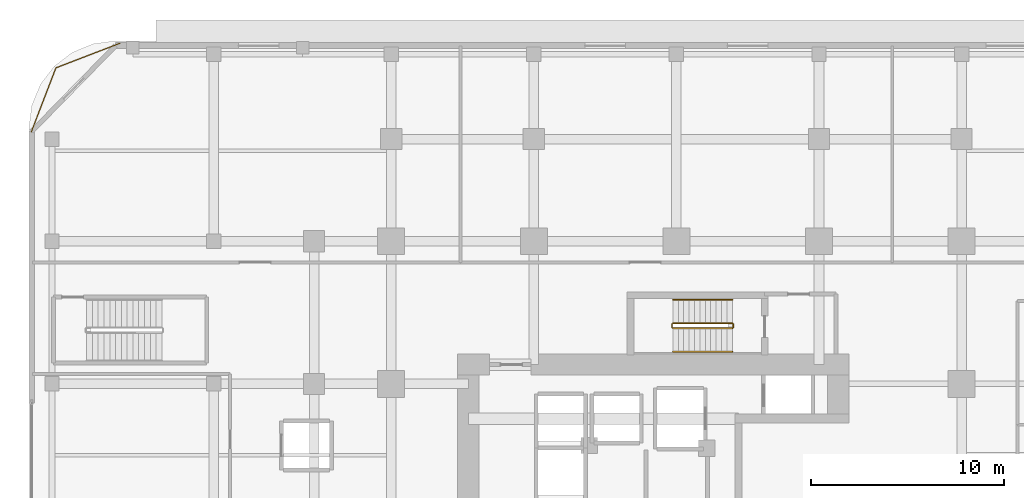
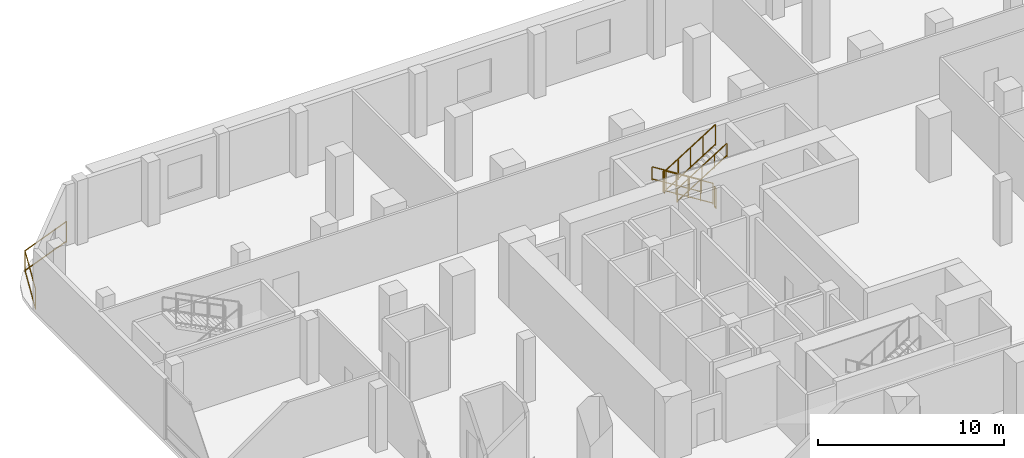
# One storey, part 16 of 19: 7 railings.
"""IFC4 building model written with IfcOpenShell, lengths in metres."""

from ifc_helpers import new_model, si_unit, direction, frame, origin, origin_2d, place, context, subcontext, project, spatial, rectangle, extrude, material, type_object, element, save


model = new_model("IFC4")

# Units and contexts
model_context = context("Model", 3, precision=1e-05, world=origin(), true_north=direction((0.0, 1.0)))
body_context = subcontext(model_context, "Body", "Model", "MODEL_VIEW")
ifc_project = project(units=[si_unit("LENGTHUNIT", "METRE"), si_unit("AREAUNIT", "SQUARE_METRE"), si_unit("VOLUMEUNIT", "CUBIC_METRE"), si_unit("PLANEANGLEUNIT", "RADIAN"), si_unit("MASSUNIT", "GRAM", prefix="KILO")], contexts=[model_context])

# Site, building, storey
site_placement = place(None, origin())
site = spatial("IfcSite", under=ifc_project, at=site_placement, CompositionType="ELEMENT")
building_placement = place(site_placement, origin())
building = spatial("IfcBuilding", under=site, at=building_placement, Name="Khorvyn Point Tower", CompositionType="ELEMENT")
storey_placement = place(building_placement, frame((0.0, 0.0, 13.199951171875)))
storey = spatial("IfcBuildingStorey", under=building, at=storey_placement, Name="L04", CompositionType="ELEMENT", Elevation=13.199951171875)

# Railings
ifc_material_1 = material(Name="Anodised aluminium 6063-T6 and laminated safety glass", Category="aluminium")
railing_type_1 = type_object("IfcRailingType", Name="Laminated Glass and Aluminium Balcony Guardrail 1400", PredefinedType="BALUSTRADE", material=ifc_material_1)
railing_1_placement = place(storey_placement, frame((-28.870849609375, 25.073974609375, 0.0)))
element("IfcRailing", 1, at=railing_1_placement, inside=storey, type_object=railing_type_1, Name="L04 Rounded Corner Edge Guardrail NW", PredefinedType="BALUSTRADE", context=body_context, shape_type="SweptSolid", body=[
    extrude(rectangle(XDim=0.048095703125, YDim=0.048095703125, at=origin_2d()), frame((0.0, 0.0, 1.3759765625), z_axis=(-0.933575007025, -0.358382067435, 0.0), x_axis=(0.358382067435, -0.933575007025, 0.0)), (0.0, 0.0, 1.0), 3.562744140625),
    extrude(rectangle(XDim=0.048095703125, YDim=0.048095703125, at=origin_2d()), frame((0.0, 0.0, 0.080078125), z_axis=(-0.933575007025, -0.358382067435, 0.0), x_axis=(0.358382067435, -0.933575007025, 0.0)), (0.0, 0.0, 1.0), 3.562744140625),
    extrude(rectangle(XDim=0.048095703125, YDim=0.048095703125, at=origin_2d()), frame((-3.326171875, -1.27685546875, 1.3759765625), z_axis=(-0.35841886047, -0.933560882031, 0.0), x_axis=(0.933560882031, -0.35841886047, 0.0)), (0.0, 0.0, 1.0), 3.563232421875),
    extrude(rectangle(XDim=0.048095703125, YDim=0.048095703125, at=origin_2d()), frame((-3.326171875, -1.27685546875, 0.080078125), z_axis=(-0.35841886047, -0.933560882031, 0.0), x_axis=(0.933560882031, -0.35841886047, 0.0)), (0.0, 0.0, 1.0), 3.563232421875),
    extrude(rectangle(XDim=0.0419921875, YDim=0.0419921875, at=origin_2d()), origin(), (0.0, 0.0, 1.0), 1.351806640625),
    extrude(rectangle(XDim=0.0419921875, YDim=0.0419921875, at=origin_2d()), frame((-3.326171875, -1.27685546875, 0.0)), (0.0, 0.0, 1.0), 1.351806640625),
    extrude(rectangle(XDim=0.0419921875, YDim=0.0419921875, at=origin_2d()), frame((-4.603271484375, -4.603271484375, 0.0)), (0.0, 0.0, 1.0), 1.351806640625),
])
ifc_material_2 = material(Name="Stainless steel 1.4301", Category="steel")
railing_type_2 = type_object("IfcRailingType", Name="Stainless Steel 304 Stair Pitch Handrail 900", PredefinedType="HANDRAIL", material=ifc_material_2)
railing_2_placement = place(storey_placement, frame((2.89990234375, 11.77001953125, 0.175048828125)))
element("IfcRailing", 2, at=railing_2_placement, inside=storey, type_object=railing_type_2, Name="L04 ST-02 stair handrail 1", PredefinedType="HANDRAIL", context=body_context, shape_type="SweptSolid", body=[
    extrude(rectangle(XDim=0.048095703125, YDim=0.048095703125, at=origin_2d()), frame((0.0, 0.0, 0.8759765625), z_axis=(-0.847979421464, 0.0, 0.530029150871), x_axis=(0.0, -1.0, 0.0)), (0.0, 0.0, 1.0), 3.632080078125),
    extrude(rectangle(XDim=0.048095703125, YDim=0.048095703125, at=origin_2d()), frame((0.0, 0.0, 0.080078125), z_axis=(-0.847979421464, 0.0, 0.530029150871), x_axis=(0.0, -1.0, 0.0)), (0.0, 0.0, 1.0), 3.632080078125),
    extrude(rectangle(XDim=0.0419921875, YDim=0.0419921875, at=origin_2d()), origin(), (0.0, 0.0, 1.0), 0.851806640625),
    extrude(rectangle(XDim=0.0419921875, YDim=0.0419921875, at=origin_2d()), frame((-0.77001953125, 0.0, 0.481201171875)), (0.0, 0.0, 1.0), 0.851806640625),
    extrude(rectangle(XDim=0.0419921875, YDim=0.0419921875, at=origin_2d()), frame((-1.5400390625, 0.0, 0.96240234375)), (0.0, 0.0, 1.0), 0.851806640625),
    extrude(rectangle(XDim=0.0419921875, YDim=0.0419921875, at=origin_2d()), frame((-2.309814453125, 0.0, 1.44384765625)), (0.0, 0.0, 1.0), 0.851806640625),
    extrude(rectangle(XDim=0.0419921875, YDim=0.0419921875, at=origin_2d()), frame((-3.079833984375, 0.0, 1.925048828125)), (0.0, 0.0, 1.0), 0.851806640625),
])
railing_3_placement = place(storey_placement, frame((-0.179931640625, 9.070068359375, 2.275146484375)))
element("IfcRailing", 3, at=railing_3_placement, inside=storey, type_object=railing_type_2, Name="L04 ST-02 stair handrail 2", PredefinedType="HANDRAIL", context=body_context, shape_type="SweptSolid", body=[
    extrude(rectangle(XDim=0.048095703125, YDim=0.048095703125, at=origin_2d()), frame((0.0, 0.0, 0.8759765625), z_axis=(0.848009633417, 0.0, 0.529980812513), x_axis=(0.0, 1.0, 0.0)), (0.0, 0.0, 1.0), 3.6318359375),
    extrude(rectangle(XDim=0.048095703125, YDim=0.048095703125, at=origin_2d()), frame((0.0, 0.0, 0.080078125), z_axis=(0.848009633417, 0.0, 0.529980812513), x_axis=(0.0, 1.0, 0.0)), (0.0, 0.0, 1.0), 3.6318359375),
    extrude(rectangle(XDim=0.0419921875, YDim=0.0419921875, at=origin_2d()), origin(), (0.0, 0.0, 1.0), 0.851806640625),
    extrude(rectangle(XDim=0.0419921875, YDim=0.0419921875, at=origin_2d()), frame((0.77001953125, 0.0, 0.481201171875)), (0.0, 0.0, 1.0), 0.851806640625),
    extrude(rectangle(XDim=0.0419921875, YDim=0.0419921875, at=origin_2d()), frame((1.5400390625, 0.0, 0.96240234375)), (0.0, 0.0, 1.0), 0.851806640625),
    extrude(rectangle(XDim=0.0419921875, YDim=0.0419921875, at=origin_2d()), frame((2.309814453125, 0.0, 1.443603515625)), (0.0, 0.0, 1.0), 0.851806640625),
    extrude(rectangle(XDim=0.0419921875, YDim=0.0419921875, at=origin_2d()), frame((3.079833984375, 0.0, 1.9248046875)), (0.0, 0.0, 1.0), 0.851806640625),
])
railing_type_3 = type_object("IfcRailingType", Name="Stainless Steel 304 Stair Well Guardrail 1400", PredefinedType="GUARDRAIL", material=ifc_material_2)
railing_4_placement = place(storey_placement, frame((2.89990234375, 10.550048828125, 0.175048828125)))
element("IfcRailing", 4, at=railing_4_placement, inside=storey, type_object=railing_type_3, Name="L04 ST-02 stair guard 1", PredefinedType="GUARDRAIL", context=body_context, shape_type="SweptSolid", body=[
    extrude(rectangle(XDim=0.048095703125, YDim=0.048095703125, at=origin_2d()), frame((0.0, 0.0, 1.3759765625), z_axis=(-0.847979421464, 0.0, 0.530029150871), x_axis=(0.0, -1.0, 0.0)), (0.0, 0.0, 1.0), 3.632080078125),
    extrude(rectangle(XDim=0.048095703125, YDim=0.048095703125, at=origin_2d()), frame((0.0, 0.0, 0.080078125), z_axis=(-0.847979421464, 0.0, 0.530029150871), x_axis=(0.0, -1.0, 0.0)), (0.0, 0.0, 1.0), 3.632080078125),
    extrude(rectangle(XDim=0.0419921875, YDim=0.0419921875, at=origin_2d()), origin(), (0.0, 0.0, 1.0), 1.351806640625),
    extrude(rectangle(XDim=0.0419921875, YDim=0.0419921875, at=origin_2d()), frame((-0.77001953125, 0.0, 0.481201171875)), (0.0, 0.0, 1.0), 1.351806640625),
    extrude(rectangle(XDim=0.0419921875, YDim=0.0419921875, at=origin_2d()), frame((-1.5400390625, 0.0, 0.96240234375)), (0.0, 0.0, 1.0), 1.351806640625),
    extrude(rectangle(XDim=0.0419921875, YDim=0.0419921875, at=origin_2d()), frame((-2.309814453125, 0.0, 1.44384765625)), (0.0, 0.0, 1.0), 1.351806640625),
    extrude(rectangle(XDim=0.0419921875, YDim=0.0419921875, at=origin_2d()), frame((-3.079833984375, 0.0, 1.925048828125)), (0.0, 0.0, 1.0), 1.351806640625),
])
railing_5_placement = place(storey_placement, frame((-0.22998046875, 10.5, 2.10009765625)))
element("IfcRailing", 5, at=railing_5_placement, inside=storey, type_object=railing_type_3, Name="L04 ST-02 stair guard 2", PredefinedType="GUARDRAIL", context=body_context, shape_type="SweptSolid", body=[
    extrude(rectangle(XDim=0.048095703125, YDim=0.048095703125, at=origin_2d()), frame((0.0, 0.0, 1.3759765625), z_axis=(0.0, -1.0, 0.0), x_axis=(1.0, 0.0, 0.0)), (0.0, 0.0, 1.0), 0.159912109375),
    extrude(rectangle(XDim=0.048095703125, YDim=0.048095703125, at=origin_2d()), frame((0.0, 0.0, 0.080078125), z_axis=(0.0, -1.0, 0.0), x_axis=(1.0, 0.0, 0.0)), (0.0, 0.0, 1.0), 0.159912109375),
    extrude(rectangle(XDim=0.0419921875, YDim=0.0419921875, at=origin_2d()), origin(), (0.0, 0.0, 1.0), 1.351806640625),
    extrude(rectangle(XDim=0.0419921875, YDim=0.0419921875, at=origin_2d()), frame((0.0, -0.159912109375, 0.0)), (0.0, 0.0, 1.0), 1.351806640625),
])
railing_6_placement = place(storey_placement, frame((-0.179931640625, 10.2900390625, 2.275146484375)))
element("IfcRailing", 6, at=railing_6_placement, inside=storey, type_object=railing_type_3, Name="L04 ST-02 stair guard 3", PredefinedType="GUARDRAIL", context=body_context, shape_type="SweptSolid", body=[
    extrude(rectangle(XDim=0.048095703125, YDim=0.048095703125, at=origin_2d()), frame((0.0, 0.0, 1.3759765625), z_axis=(0.848009633417, 0.0, 0.529980812513), x_axis=(0.0, 1.0, 0.0)), (0.0, 0.0, 1.0), 3.6318359375),
    extrude(rectangle(XDim=0.048095703125, YDim=0.048095703125, at=origin_2d()), frame((0.0, 0.0, 0.080078125), z_axis=(0.848009633417, 0.0, 0.529980812513), x_axis=(0.0, 1.0, 0.0)), (0.0, 0.0, 1.0), 3.6318359375),
    extrude(rectangle(XDim=0.0419921875, YDim=0.0419921875, at=origin_2d()), origin(), (0.0, 0.0, 1.0), 1.351806640625),
    extrude(rectangle(XDim=0.0419921875, YDim=0.0419921875, at=origin_2d()), frame((0.77001953125, 0.0, 0.481201171875)), (0.0, 0.0, 1.0), 1.351806640625),
    extrude(rectangle(XDim=0.0419921875, YDim=0.0419921875, at=origin_2d()), frame((1.5400390625, 0.0, 0.96240234375)), (0.0, 0.0, 1.0), 1.351806640625),
    extrude(rectangle(XDim=0.0419921875, YDim=0.0419921875, at=origin_2d()), frame((2.309814453125, 0.0, 1.443603515625)), (0.0, 0.0, 1.0), 1.351806640625),
    extrude(rectangle(XDim=0.0419921875, YDim=0.0419921875, at=origin_2d()), frame((3.079833984375, 0.0, 1.9248046875)), (0.0, 0.0, 1.0), 1.351806640625),
])
railing_7_placement = place(storey_placement, frame((2.949951171875, 10.5, 0.0)))
element("IfcRailing", 7, at=railing_7_placement, inside=storey, type_object=railing_type_3, Name="L04 ST-02 stair guard 4", PredefinedType="GUARDRAIL", context=body_context, shape_type="SweptSolid", body=[
    extrude(rectangle(XDim=0.048095703125, YDim=0.048095703125, at=origin_2d()), frame((0.0, 0.0, 1.3759765625), z_axis=(0.0, -1.0, 0.0), x_axis=(1.0, 0.0, 0.0)), (0.0, 0.0, 1.0), 0.159912109375),
    extrude(rectangle(XDim=0.048095703125, YDim=0.048095703125, at=origin_2d()), frame((0.0, 0.0, 0.080078125), z_axis=(0.0, -1.0, 0.0), x_axis=(1.0, 0.0, 0.0)), (0.0, 0.0, 1.0), 0.159912109375),
    extrude(rectangle(XDim=0.0419921875, YDim=0.0419921875, at=origin_2d()), origin(), (0.0, 0.0, 1.0), 1.351806640625),
    extrude(rectangle(XDim=0.0419921875, YDim=0.0419921875, at=origin_2d()), frame((0.0, -0.159912109375, 0.0)), (0.0, 0.0, 1.0), 1.351806640625),
])

save(model, "model.ifc")
